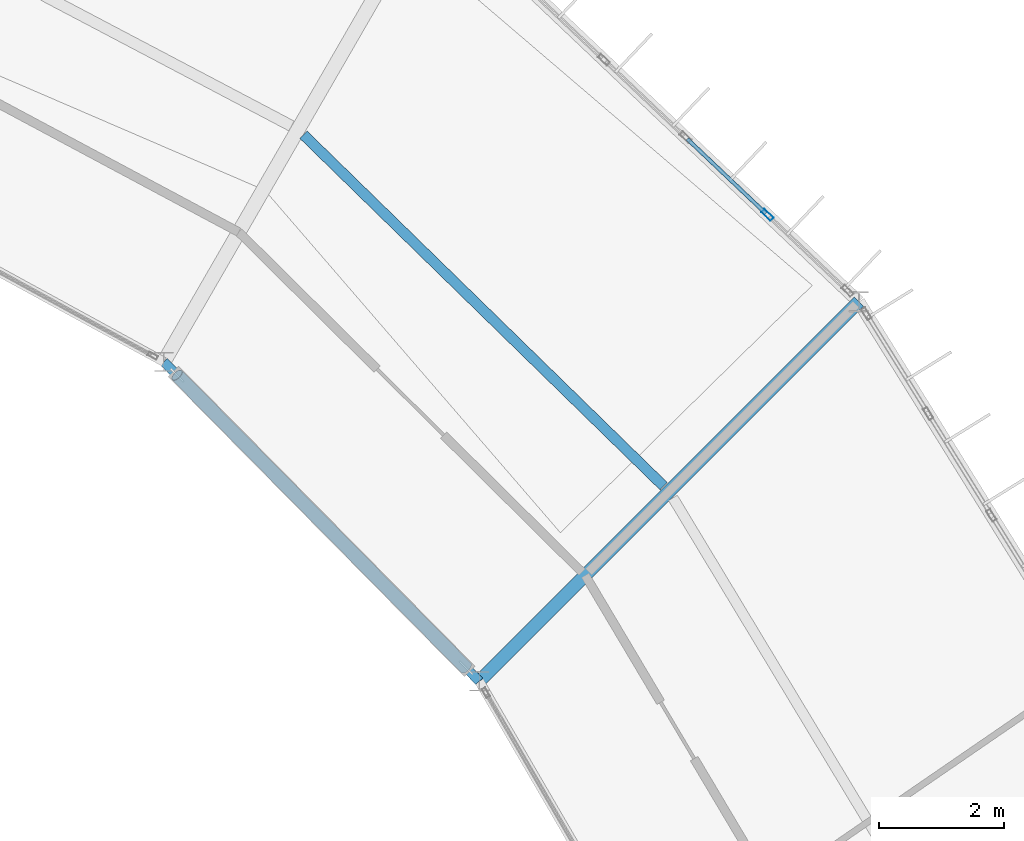
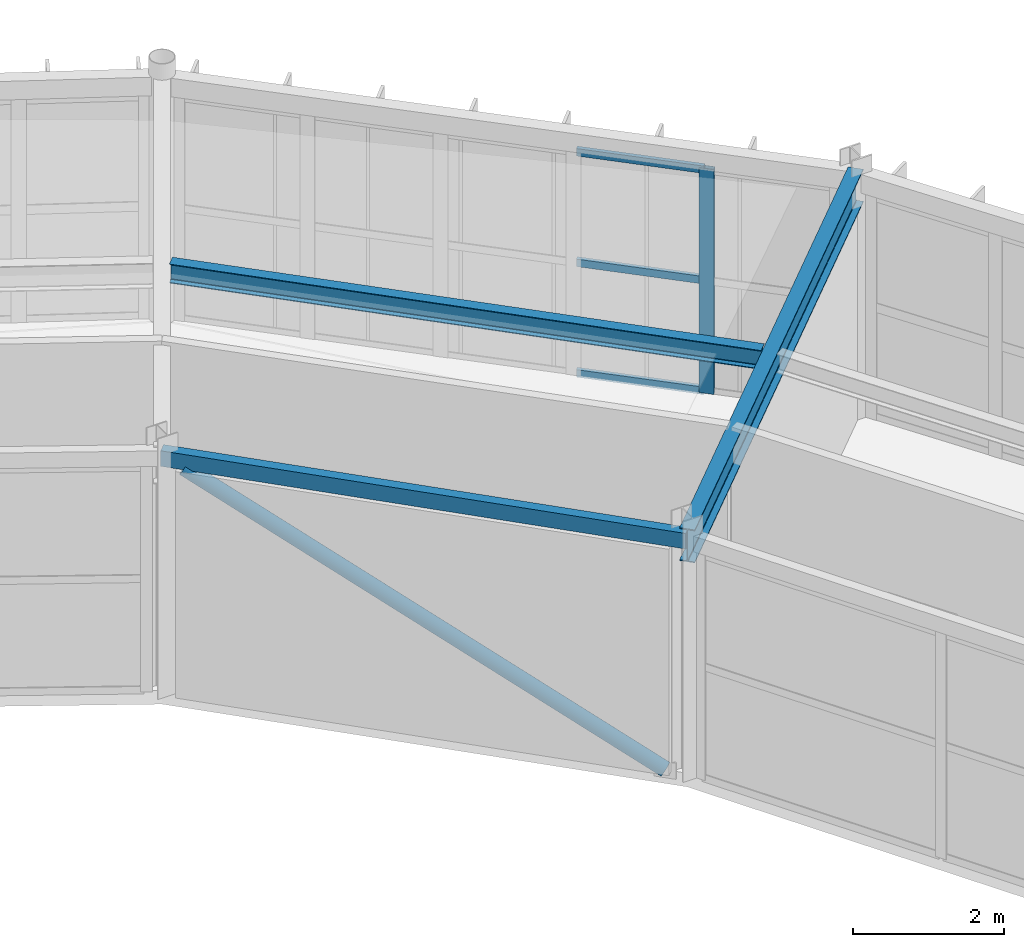
# One storey, part 84 of 147: 5 members, 3 beams, 1 element without a shape of its own.
"""IFC4 building model written with IfcOpenShell, lengths in metres."""

from ifc_helpers import new_model, si_unit, direction, frame, origin, origin_2d, place, context, subcontext, project, spatial, hollow_rectangle, hollow_circle, i_section, extrude, material, material_profile, profile_set, type_object, element, aggregate, save


model = new_model("IFC4")

# Units and contexts
model_context = context("Model", 3, precision=1e-05, world=origin(), true_north=direction((0.0, 1.0)))
body_context = subcontext(model_context, "Body", "Model", "MODEL_VIEW")
ifc_project = project(units=[si_unit("LENGTHUNIT", "METRE"), si_unit("AREAUNIT", "SQUARE_METRE"), si_unit("VOLUMEUNIT", "CUBIC_METRE"), si_unit("PLANEANGLEUNIT", "RADIAN"), si_unit("MASSUNIT", "GRAM", prefix="KILO")], contexts=[model_context])

# Site, building, storey
site_placement = place(None, origin())
site = spatial("IfcSite", under=ifc_project, at=site_placement, CompositionType="ELEMENT")
building_placement = place(site_placement, origin())
building = spatial("IfcBuilding", under=site, at=building_placement, Name="Karori Crest Natural Sciences Institute", CompositionType="ELEMENT")
storey_placement = place(building_placement, frame((0.0, 0.0, 9.10009765625)))
storey = spatial("IfcBuildingStorey", under=building, at=storey_placement, Name="L02", CompositionType="ELEMENT", Elevation=9.10009765625)

# Beams
ifc_material_1 = material(Name="Structural steel AS/NZS 3679.1 Grade 350", Category="steel")
ifc_material_profile_1 = material_profile(ifc_material_1, i_section(OverallWidth=0.208984375, OverallDepth=0.532958984375, WebThickness=0.01025390625, FlangeThickness=0.015625, FilletRadius=0.013916015625, at=origin_2d()), Name="530UB92.4")
ifc_profile_set_1 = profile_set([ifc_material_profile_1], Name="Structural steel AS/NZS 3679.1 Grade 350")
beam_type_1 = type_object("IfcBeamType", Name="BT-05", PredefinedType="BEAM", material=ifc_profile_set_1)
beam_1_placement = place(storey_placement, frame((83.6533203125, 72.668701171875, 3.67333984375), z_axis=(0.707106781187, 0.707106781187, 0.0), x_axis=(-0.707106781187, 0.707106781187, 0.0)))
element("IfcBeam", 1, at=beam_1_placement, inside=storey, type_object=beam_type_1, Name="Beam B-0283", PredefinedType="BEAM", context=body_context, shape_type="SweptSolid", body=[
    extrude(i_section(OverallWidth=0.208984375, OverallDepth=0.532958984375, WebThickness=0.01025390625, FlangeThickness=0.015625, FilletRadius=0.013916015625, at=origin_2d()), origin(), (0.0, 0.0, 1.0), 8.600341796875),
])
ifc_material_profile_2 = material_profile(ifc_material_1, i_section(OverallWidth=0.166015625, OverallDepth=0.306884765625, WebThickness=0.006591796875, FlangeThickness=0.01171875, FilletRadius=0.010986328125, at=origin_2d()), Name="310UB46.2")
ifc_profile_set_2 = profile_set([ifc_material_profile_2], Name="Structural steel AS/NZS 3679.1 Grade 350")
beam_type_2 = type_object("IfcBeamType", Name="BT-09", PredefinedType="BEAM", material=ifc_profile_set_2)
beam_2_placement = place(storey_placement, frame((86.608154296875, 75.793212890625, 3.786376953125), z_axis=(-0.715696324431, 0.698411605857, 0.0), x_axis=(-0.698411605857, -0.715696324431, 0.0)))
element("IfcBeam", 2, at=beam_2_placement, inside=storey, type_object=beam_type_2, Name="Beam B-0284", PredefinedType="BEAM", context=body_context, shape_type="SweptSolid", body=[
    extrude(i_section(OverallWidth=0.166015625, OverallDepth=0.306884765625, WebThickness=0.006591796875, FlangeThickness=0.01171875, FilletRadius=0.010986328125, at=origin_2d()), origin(), (0.0, 0.0, 1.0), 8.065185546875),
])
ifc_material_2 = material(Name="Hollow structural steel AS/NZS 1163 Grade C350", Category="steel")
ifc_material_profile_3 = material_profile(ifc_material_2, hollow_rectangle(XDim=0.14990234375, YDim=0.25, WallThickness=0.009033203125, at=origin_2d()), Name="RHS250x150x9")
ifc_profile_set_3 = profile_set([ifc_material_profile_3], Name="Hollow structural steel AS/NZS 1163 Grade C350")
beam_type_3 = type_object("IfcBeamType", Name="BT-16", PredefinedType="SPANDREL", material=ifc_profile_set_3)
beam_3_placement = place(storey_placement, frame((83.6533203125, 72.668701171875, 3.789794921875), z_axis=(-0.702645672149, 0.711539921164, 0.0), x_axis=(-0.711539921164, -0.702645672149, 0.0)))
element("IfcBeam", 3, at=beam_3_placement, inside=storey, type_object=beam_type_3, Name="Beam B-0282", PredefinedType="SPANDREL", context=body_context, shape_type="SweptSolid", body=[
    extrude(hollow_rectangle(XDim=0.14990234375, YDim=0.25, WallThickness=0.009033203125, at=origin_2d()), origin(), (0.0, 0.0, 1.0), 7.191650390625),
])

# Curtain wall, members
ifc_material_3 = material(Name="Anodised architectural aluminium 6063-T6", Category="aluminium")
curtain_wall_type = type_object("IfcCurtainWallType", Name="CWT-04", PredefinedType="NOTDEFINED", material=ifc_material_3)
curtain_wall_placement = place(storey_placement, origin())
curtain_wall = element("IfcCurtainWall", 4, at=curtain_wall_placement, inside=storey, type_object=curtain_wall_type, Name="Curtain wall CW-0070", PredefinedType="NOTDEFINED")
ifc_material_profile_4 = material_profile(ifc_material_3, hollow_rectangle(XDim=0.074951171875, YDim=0.199951171875, WallThickness=0.0048828125, at=origin_2d()), Name="CWM200x75x5")
ifc_profile_set_4 = profile_set([ifc_material_profile_4], Name="Anodised architectural aluminium 6063-T6")
member_type_1 = type_object("IfcMemberType", Name="CWM-02", PredefinedType="MULLION", material=ifc_profile_set_4)
member_1_placement = place(storey_placement, frame((88.27001953125, 80.139404296875, 0.0), z_axis=(0.0, 0.0, 1.0), x_axis=(0.688245939986, 0.725477446992, 0.0)))
member_1 = element("IfcMember", 5, at=member_1_placement, type_object=member_type_1, Name="CW-0070 mullion 5", PredefinedType="MULLION", context=body_context, shape_type="SweptSolid", body=[
    extrude(hollow_rectangle(XDim=0.074951171875, YDim=0.199951171875, WallThickness=0.0048828125, at=origin_2d()), origin(), (0.0, 0.0, 1.0), 3.625),
])
ifc_material_profile_5 = material_profile(ifc_material_3, hollow_rectangle(XDim=0.06005859375, YDim=0.1201171875, WallThickness=0.00390625, at=origin_2d()), Name="CWT120x60x4")
ifc_profile_set_5 = profile_set([ifc_material_profile_5], Name="Anodised architectural aluminium 6063-T6")
member_type_2 = type_object("IfcMemberType", Name="CWT-TR1", PredefinedType="USERDEFINED", material=ifc_profile_set_5)
member_2_placement = place(storey_placement, frame((86.986572265625, 81.35693359375, 0.02978515625), z_axis=(0.725474530002, -0.68824901476, 0.0), x_axis=(0.68824901476, 0.725474530002, 0.0)))
member_2 = element("IfcMember", 6, at=member_2_placement, type_object=member_type_2, Name="CW-0070 transom 4.1", ObjectType="TRANSOM", PredefinedType="USERDEFINED", context=body_context, shape_type="SweptSolid", body=[
    extrude(hollow_rectangle(XDim=0.06005859375, YDim=0.1201171875, WallThickness=0.00390625, at=origin_2d()), origin(), (0.0, 0.0, 1.0), 1.7314453125),
])
member_3_placement = place(storey_placement, frame((86.986572265625, 81.35693359375, 1.8125), z_axis=(0.725474530002, -0.68824901476, 0.0), x_axis=(0.68824901476, 0.725474530002, 0.0)))
member_3 = element("IfcMember", 7, at=member_3_placement, type_object=member_type_2, Name="CW-0070 transom 4.2", ObjectType="TRANSOM", PredefinedType="USERDEFINED", context=body_context, shape_type="SweptSolid", body=[
    extrude(hollow_rectangle(XDim=0.06005859375, YDim=0.1201171875, WallThickness=0.00390625, at=origin_2d()), origin(), (0.0, 0.0, 1.0), 1.7314453125),
])
member_4_placement = place(storey_placement, frame((86.986572265625, 81.35693359375, 3.594970703125), z_axis=(0.725474530002, -0.68824901476, 0.0), x_axis=(0.68824901476, 0.725474530002, 0.0)))
member_4 = element("IfcMember", 8, at=member_4_placement, type_object=member_type_2, Name="CW-0070 transom 4.3", ObjectType="TRANSOM", PredefinedType="USERDEFINED", context=body_context, shape_type="SweptSolid", body=[
    extrude(hollow_rectangle(XDim=0.06005859375, YDim=0.1201171875, WallThickness=0.00390625, at=origin_2d()), origin(), (0.0, 0.0, 1.0), 1.7314453125),
])
aggregate(curtain_wall, [member_1, member_2, member_3, member_4])

# Member
ifc_material_profile_6 = material_profile(ifc_material_2, hollow_circle(Radius=0.109619140625, WallThickness=0.00830078125, at=origin_2d()), Name="CHS219.1x8.2")
ifc_profile_set_6 = profile_set([ifc_material_profile_6], Name="Hollow structural steel AS/NZS 1163 Grade C350")
member_type_3 = type_object("IfcMemberType", Name="MT-02", PredefinedType="BRACE", material=ifc_profile_set_6)
member_5_placement = place(storey_placement, frame((83.442626953125, 72.88232421875, 0.010009765625), z_axis=(-0.615119484546, 0.62286845971, 0.483386906763), x_axis=(-0.711518857686, -0.702667001614, 0.0)))
element("IfcMember", 9, at=member_5_placement, inside=storey, type_object=member_type_3, Name="Diagonal Brace M-0013", PredefinedType="BRACE", context=body_context, shape_type="SweptSolid", body=[
    extrude(hollow_circle(Radius=0.109619140625, WallThickness=0.00830078125, at=origin_2d()), origin(), (0.0, 0.0, 1.0), 7.530029296875),
])

save(model, "model.ifc")
